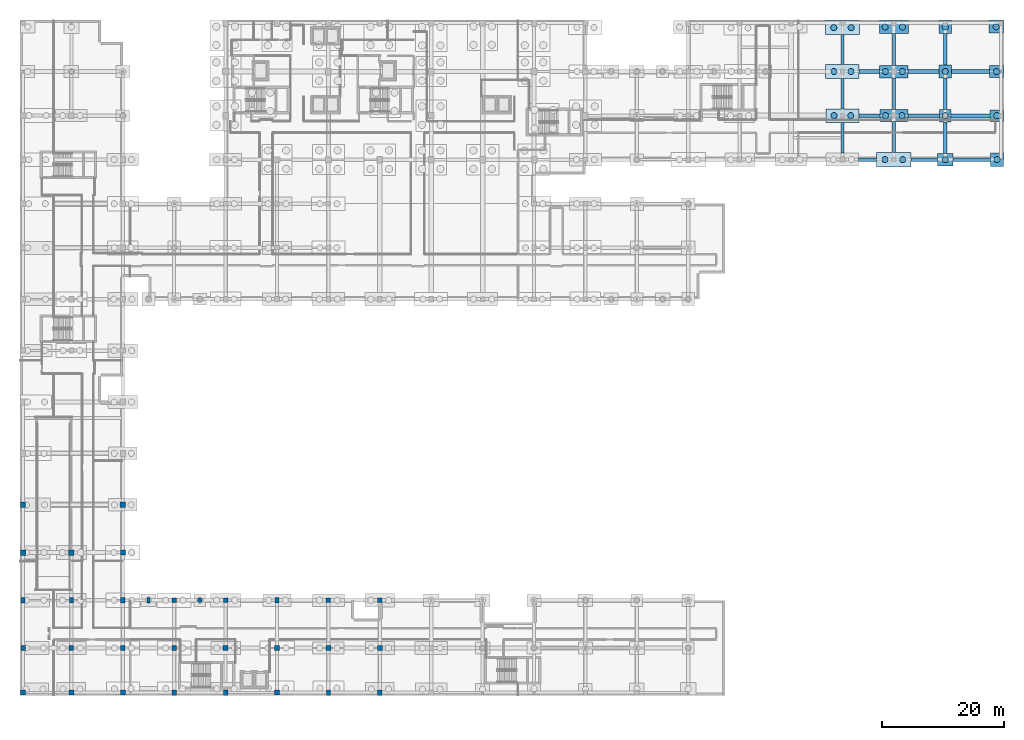
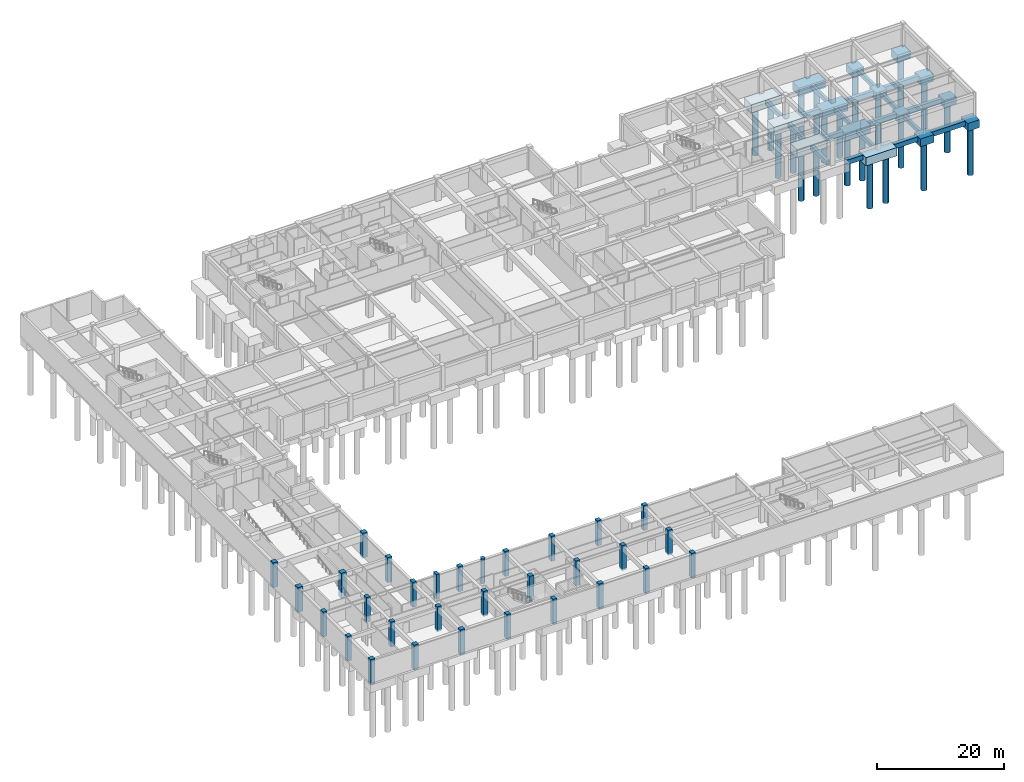
# One storey, part 8 of 42: 33 footings, 31 columns, 22 piles.
"""IFC4 building model written with IfcOpenShell, lengths in metres."""

from ifc_helpers import new_model, si_unit, direction, frame, origin, origin_2d, place, context, subcontext, project, spatial, rectangle, circle, extrude, material, material_profile, profile_set, type_object, element, save


model = new_model("IFC4")

# Units and contexts
model_context = context("Model", 3, precision=1e-05, world=origin(), true_north=direction((0.0, 1.0)))
body_context = subcontext(model_context, "Body", "Model", "MODEL_VIEW")
ifc_project = project(units=[si_unit("LENGTHUNIT", "METRE"), si_unit("AREAUNIT", "SQUARE_METRE"), si_unit("VOLUMEUNIT", "CUBIC_METRE"), si_unit("PLANEANGLEUNIT", "RADIAN"), si_unit("MASSUNIT", "GRAM", prefix="KILO")], contexts=[model_context])

# Site, building, storey
site_placement = place(None, origin())
site = spatial("IfcSite", under=ifc_project, at=site_placement, CompositionType="ELEMENT")
building_placement = place(site_placement, origin())
building = spatial("IfcBuilding", under=site, at=building_placement, Name="Quendrovan Civic Courthouse", CompositionType="ELEMENT")
storey_placement = place(building_placement, frame((0.0, 0.0, -4.5)))
storey = spatial("IfcBuildingStorey", under=building, at=storey_placement, Name="B1", CompositionType="ELEMENT", Elevation=-4.5)

# Footings
ifc_material_1 = material(Name="Concrete C35/45", Category="concrete")
footing_type_1 = type_object("IfcFootingType", Name="FTG-PC1-190x202x140", PredefinedType="PILE_CAP", material=ifc_material_1)
footing_1_placement = place(storey_placement, frame((151.199951171875, 94.800048828125, -1.699951171875), z_axis=(0.0, 0.0, 1.0), x_axis=(1.0, 0.0, 0.0)))
element("IfcFooting", 1, at=footing_1_placement, inside=storey, type_object=footing_type_1, Name="Pile Cap PC1-01 at 19-N", PredefinedType="PILE_CAP", context=body_context, shape_type="SweptSolid", body=[
    extrude(rectangle(XDim=1.89990234375, YDim=2.02001953125, at=origin_2d()), origin(), (0.0, 0.0, 1.0), 1.39990234375),
])
footing_type_2 = type_object("IfcFootingType", Name="FTG-PC1-198x208x143", PredefinedType="PILE_CAP", material=ifc_material_1)
footing_2_placement = place(storey_placement, frame((151.199951171875, 102.0, -1.72998046875), z_axis=(0.0, 0.0, 1.0), x_axis=(1.0, 0.0, 0.0)))
element("IfcFooting", 2, at=footing_2_placement, inside=storey, type_object=footing_type_2, Name="Pile Cap PC1-02 at 19-P", PredefinedType="PILE_CAP", context=body_context, shape_type="SweptSolid", body=[
    extrude(rectangle(XDim=1.97998046875, YDim=2.080078125, at=origin_2d()), origin(), (0.0, 0.0, 1.0), 1.429931640625),
])
footing_type_3 = type_object("IfcFootingType", Name="FTG-PC1-206x214x146", PredefinedType="PILE_CAP", material=ifc_material_1)
footing_3_placement = place(storey_placement, frame((151.199951171875, 109.25, -1.760009765625), z_axis=(0.0, 0.0, 1.0), x_axis=(1.0, 0.0, 0.0)))
element("IfcFooting", 3, at=footing_3_placement, inside=storey, type_object=footing_type_3, Name="Pile Cap PC1-03 at 19-Q", PredefinedType="PILE_CAP", context=body_context, shape_type="SweptSolid", body=[
    extrude(rectangle(XDim=2.06005859375, YDim=2.139892578125, at=origin_2d()), origin(), (0.0, 0.0, 1.0), 1.4599609375),
])
footing_type_4 = type_object("IfcFootingType", Name="FTG-PC1-214x220x149", PredefinedType="PILE_CAP", material=ifc_material_1)
footing_4_placement = place(storey_placement, frame((159.64990234375, 87.60009765625, -1.7900390625), z_axis=(0.0, 0.0, 1.0), x_axis=(1.0, 0.0, 0.0)))
element("IfcFooting", 4, at=footing_4_placement, inside=storey, type_object=footing_type_4, Name="Pile Cap PC1-04 at 20-M", PredefinedType="PILE_CAP", context=body_context, shape_type="SweptSolid", body=[
    extrude(rectangle(XDim=2.139892578125, YDim=2.199951171875, at=origin_2d()), origin(), (0.0, 0.0, 1.0), 1.489990234375),
])
footing_type_5 = type_object("IfcFootingType", Name="FTG-PC1-222x190x140", PredefinedType="PILE_CAP", material=ifc_material_1)
footing_5_placement = place(storey_placement, frame((159.610107421875, 94.800048828125, -1.699951171875), z_axis=(0.0, 0.0, 1.0), x_axis=(1.0, 0.0, 0.0)))
element("IfcFooting", 5, at=footing_5_placement, inside=storey, type_object=footing_type_5, Name="Pile Cap PC1-05 at 20-N", PredefinedType="PILE_CAP", context=body_context, shape_type="SweptSolid", body=[
    extrude(rectangle(XDim=2.219970703125, YDim=1.89990234375, at=origin_2d()), origin(), (0.0, 0.0, 1.0), 1.39990234375),
])
footing_type_6 = type_object("IfcFootingType", Name="FTG-PC1-229x196x143", PredefinedType="PILE_CAP", material=ifc_material_1)
footing_6_placement = place(storey_placement, frame((159.570068359375, 102.0, -1.72998046875), z_axis=(0.0, 0.0, 1.0), x_axis=(1.0, 0.0, 0.0)))
element("IfcFooting", 6, at=footing_6_placement, inside=storey, type_object=footing_type_6, Name="Pile Cap PC1-06 at 20-P", PredefinedType="PILE_CAP", context=body_context, shape_type="SweptSolid", body=[
    extrude(rectangle(XDim=2.300048828125, YDim=1.9599609375, at=origin_2d()), origin(), (0.0, 0.0, 1.0), 1.429931640625),
])
footing_type_7 = type_object("IfcFootingType", Name="FTG-PC1-238x202x146", PredefinedType="PILE_CAP", material=ifc_material_1)
footing_7_placement = place(storey_placement, frame((159.530029296875, 109.31005859375, -1.760009765625), z_axis=(0.0, 0.0, 1.0), x_axis=(1.0, 0.0, 0.0)))
element("IfcFooting", 7, at=footing_7_placement, inside=storey, type_object=footing_type_7, Name="Pile Cap PC1-07 at 20-Q", PredefinedType="PILE_CAP", context=body_context, shape_type="SweptSolid", body=[
    extrude(rectangle(XDim=2.3798828125, YDim=2.02001953125, at=origin_2d()), origin(), (0.0, 0.0, 1.0), 1.4599609375),
])
footing_type_8 = type_object("IfcFootingType", Name="FTG-PC1-246x208x149", PredefinedType="PILE_CAP", material=ifc_material_1)
footing_8_placement = place(storey_placement, frame((151.199951171875, 87.60009765625, -1.7900390625), z_axis=(0.0, 0.0, 1.0), x_axis=(1.0, 0.0, 0.0)))
element("IfcFooting", 8, at=footing_8_placement, inside=storey, type_object=footing_type_8, Name="Pile Cap PC1-08 at 19-M", PredefinedType="PILE_CAP", context=body_context, shape_type="SweptSolid", body=[
    extrude(rectangle(XDim=2.4599609375, YDim=2.080078125, at=origin_2d()), origin(), (0.0, 0.0, 1.0), 1.489990234375),
])
footing_type_9 = type_object("IfcFootingType", Name="FTG-PC2-459x200x155", PredefinedType="PILE_CAP", material=ifc_material_1)
footing_9_placement = place(storey_placement, frame((142.800048828125, 94.800048828125, -1.85009765625), z_axis=(0.0, 0.0, 1.0), x_axis=(1.0, 0.0, 0.0)))
element("IfcFooting", 9, at=footing_9_placement, inside=storey, type_object=footing_type_9, Name="Pile Cap PC2-01 at 18-N", PredefinedType="PILE_CAP", context=body_context, shape_type="SweptSolid", body=[
    extrude(rectangle(XDim=4.60009765625, YDim=2.0, at=origin_2d()), origin(), (0.0, 0.0, 1.0), 1.550048828125),
])
footing_type_10 = type_object("IfcFootingType", Name="FTG-PC2-468x206x157", PredefinedType="PILE_CAP", material=ifc_material_1)
footing_10_placement = place(storey_placement, frame((142.800048828125, 102.0, -1.8701171875), z_axis=(0.0, 0.0, 1.0), x_axis=(1.0, 0.0, 0.0)))
element("IfcFooting", 10, at=footing_10_placement, inside=storey, type_object=footing_type_10, Name="Pile Cap PC2-02 at 18-P", PredefinedType="PILE_CAP", context=body_context, shape_type="SweptSolid", body=[
    extrude(rectangle(XDim=4.679931640625, YDim=2.06005859375, at=origin_2d()), origin(), (0.0, 0.0, 1.0), 1.570068359375),
])
footing_type_11 = type_object("IfcFootingType", Name="FTG-PC2-476x212x159", PredefinedType="PILE_CAP", material=ifc_material_1)
footing_11_placement = place(storey_placement, frame((142.800048828125, 109.260009765625, -1.89013671875), z_axis=(0.0, 0.0, 1.0), x_axis=(1.0, 0.0, 0.0)))
element("IfcFooting", 11, at=footing_11_placement, inside=storey, type_object=footing_type_11, Name="Pile Cap PC2-03 at 18-Q", PredefinedType="PILE_CAP", context=body_context, shape_type="SweptSolid", body=[
    extrude(rectangle(XDim=4.760009765625, YDim=2.1201171875, at=origin_2d()), origin(), (0.0, 0.0, 1.0), 1.590087890625),
])
footing_type_12 = type_object("IfcFootingType", Name="FTG-PC2-540x218x155", PredefinedType="PILE_CAP", material=ifc_material_1)
footing_12_placement = place(storey_placement, frame((134.39990234375, 94.800048828125, -1.85009765625), z_axis=(0.0, 0.0, 1.0), x_axis=(1.0, 0.0, 0.0)))
element("IfcFooting", 12, at=footing_12_placement, inside=storey, type_object=footing_type_12, Name="Pile Cap PC2-11 at 17-N", PredefinedType="PILE_CAP", context=body_context, shape_type="SweptSolid", body=[
    extrude(rectangle(XDim=5.39990234375, YDim=2.179931640625, at=origin_2d()), origin(), (0.0, 0.0, 1.0), 1.550048828125),
])
footing_type_13 = type_object("IfcFootingType", Name="FTG-PC2-548x224x157", PredefinedType="PILE_CAP", material=ifc_material_1)
footing_13_placement = place(storey_placement, frame((134.39990234375, 102.0, -1.8701171875), z_axis=(0.0, 0.0, 1.0), x_axis=(1.0, 0.0, 0.0)))
element("IfcFooting", 13, at=footing_13_placement, inside=storey, type_object=footing_type_13, Name="Pile Cap PC2-12 at 17-P", PredefinedType="PILE_CAP", context=body_context, shape_type="SweptSolid", body=[
    extrude(rectangle(XDim=5.47998046875, YDim=2.239990234375, at=origin_2d()), origin(), (0.0, 0.0, 1.0), 1.570068359375),
])
footing_type_14 = type_object("IfcFootingType", Name="FTG-PC2-556x229x159", PredefinedType="PILE_CAP", material=ifc_material_1)
footing_14_placement = place(storey_placement, frame((134.39990234375, 109.169921875, -1.89013671875), z_axis=(0.0, 0.0, 1.0), x_axis=(1.0, 0.0, 0.0)))
element("IfcFooting", 14, at=footing_14_placement, inside=storey, type_object=footing_type_14, Name="Pile Cap PC2-13 at 17-Q", PredefinedType="PILE_CAP", context=body_context, shape_type="SweptSolid", body=[
    extrude(rectangle(XDim=5.56005859375, YDim=2.300048828125, at=origin_2d()), origin(), (0.0, 0.0, 1.0), 1.590087890625),
])
footing_type_15 = type_object("IfcFootingType", Name="FTG-PC2-564x236x161", PredefinedType="PILE_CAP", material=ifc_material_1)
footing_15_placement = place(storey_placement, frame((142.800048828125, 87.60009765625, -1.91015625), z_axis=(0.0, 0.0, 1.0), x_axis=(1.0, 0.0, 0.0)))
element("IfcFooting", 15, at=footing_15_placement, inside=storey, type_object=footing_type_15, Name="Pile Cap PC2-14 at 18-M", PredefinedType="PILE_CAP", context=body_context, shape_type="SweptSolid", body=[
    extrude(rectangle(XDim=5.639892578125, YDim=2.360107421875, at=origin_2d()), origin(), (0.0, 0.0, 1.0), 1.610107421875),
])
footing_type_16 = type_object("IfcFootingType", Name="FTG-TBX-3000", PredefinedType="FOOTING_BEAM", material=ifc_material_1)
footing_16_placement = place(storey_placement, frame((138.52001953125, 87.60009765625, -1.199951171875), z_axis=(0.0, 0.0, 1.0), x_axis=(1.0, 0.0, 0.0)))
element("IfcFooting", 16, at=footing_16_placement, inside=storey, type_object=footing_type_16, Name="Seismic Tie Beam TB-X-071", PredefinedType="FOOTING_BEAM", context=body_context, shape_type="SweptSolid", body=[
    extrude(rectangle(XDim=2.919921875, YDim=0.60009765625, at=origin_2d()), origin(), (0.0, 0.0, 1.0), 0.89990234375),
])
footing_type_17 = type_object("IfcFootingType", Name="FTG-TBX-3400", PredefinedType="FOOTING_BEAM", material=ifc_material_1)
footing_17_placement = place(storey_placement, frame((138.800048828125, 94.800048828125, -1.199951171875), z_axis=(0.0, 0.0, 1.0), x_axis=(1.0, 0.0, 0.0)))
element("IfcFooting", 17, at=footing_17_placement, inside=storey, type_object=footing_type_17, Name="Seismic Tie Beam TB-X-078", PredefinedType="FOOTING_BEAM", context=body_context, shape_type="SweptSolid", body=[
    extrude(rectangle(XDim=3.39990234375, YDim=0.60009765625, at=origin_2d()), origin(), (0.0, 0.0, 1.0), 0.89990234375),
])
footing_18_placement = place(storey_placement, frame((138.800048828125, 102.0, -1.199951171875), z_axis=(0.0, 0.0, 1.0), x_axis=(1.0, 0.0, 0.0)))
element("IfcFooting", 18, at=footing_18_placement, inside=storey, type_object=footing_type_17, Name="Seismic Tie Beam TB-X-087", PredefinedType="FOOTING_BEAM", context=body_context, shape_type="SweptSolid", body=[
    extrude(rectangle(XDim=3.320068359375, YDim=0.60009765625, at=origin_2d()), origin(), (0.0, 0.0, 1.0), 0.89990234375),
])
footing_type_18 = type_object("IfcFootingType", Name="FTG-TBX-4400", PredefinedType="FOOTING_BEAM", material=ifc_material_1)
footing_19_placement = place(storey_placement, frame((147.794921875, 87.60009765625, -1.199951171875), z_axis=(0.0, 0.0, 1.0), x_axis=(1.0, 0.0, 0.0)))
element("IfcFooting", 19, at=footing_19_placement, inside=storey, type_object=footing_type_18, Name="Seismic Tie Beam TB-X-072", PredefinedType="FOOTING_BEAM", context=body_context, shape_type="SweptSolid", body=[
    extrude(rectangle(XDim=4.35009765625, YDim=0.60009765625, at=origin_2d()), origin(), (0.0, 0.0, 1.0), 0.89990234375),
])
footing_type_19 = type_object("IfcFootingType", Name="FTG-TBX-5000", PredefinedType="FOOTING_BEAM", material=ifc_material_1)
footing_20_placement = place(storey_placement, frame((147.675048828125, 102.0, -1.199951171875), z_axis=(0.0, 0.0, 1.0), x_axis=(1.0, 0.0, 0.0)))
element("IfcFooting", 20, at=footing_20_placement, inside=storey, type_object=footing_type_19, Name="Seismic Tie Beam TB-X-088", PredefinedType="FOOTING_BEAM", context=body_context, shape_type="SweptSolid", body=[
    extrude(rectangle(XDim=5.070068359375, YDim=0.60009765625, at=origin_2d()), origin(), (0.0, 0.0, 1.0), 0.89990234375),
])
footing_type_20 = type_object("IfcFootingType", Name="FTG-TBX-5200", PredefinedType="FOOTING_BEAM", material=ifc_material_1)
footing_21_placement = place(storey_placement, frame((147.675048828125, 94.800048828125, -1.199951171875), z_axis=(0.0, 0.0, 1.0), x_axis=(1.0, 0.0, 0.0)))
element("IfcFooting", 21, at=footing_21_placement, inside=storey, type_object=footing_type_20, Name="Seismic Tie Beam TB-X-079", PredefinedType="FOOTING_BEAM", context=body_context, shape_type="SweptSolid", body=[
    extrude(rectangle(XDim=5.14990234375, YDim=0.60009765625, at=origin_2d()), origin(), (0.0, 0.0, 1.0), 0.89990234375),
])
footing_type_21 = type_object("IfcFootingType", Name="FTG-TBX-6200", PredefinedType="FOOTING_BEAM", material=ifc_material_1)
footing_22_placement = place(storey_placement, frame((155.5048828125, 87.60009765625, -1.199951171875), z_axis=(0.0, 0.0, 1.0), x_axis=(1.0, 0.0, 0.0)))
element("IfcFooting", 22, at=footing_22_placement, inside=storey, type_object=footing_type_21, Name="Seismic Tie Beam TB-X-073", PredefinedType="FOOTING_BEAM", context=body_context, shape_type="SweptSolid", body=[
    extrude(rectangle(XDim=6.14990234375, YDim=0.60009765625, at=origin_2d()), origin(), (0.0, 0.0, 1.0), 0.89990234375),
])
footing_23_placement = place(storey_placement, frame((155.304931640625, 102.0, -1.199951171875), z_axis=(0.0, 0.0, 1.0), x_axis=(1.0, 0.0, 0.0)))
element("IfcFooting", 23, at=footing_23_placement, inside=storey, type_object=footing_type_21, Name="Seismic Tie Beam TB-X-089", PredefinedType="FOOTING_BEAM", context=body_context, shape_type="SweptSolid", body=[
    extrude(rectangle(XDim=6.22998046875, YDim=0.60009765625, at=origin_2d()), origin(), (0.0, 0.0, 1.0), 0.89990234375),
])
footing_type_22 = type_object("IfcFootingType", Name="FTG-TBX-6400", PredefinedType="FOOTING_BEAM", material=ifc_material_1)
footing_24_placement = place(storey_placement, frame((155.324951171875, 94.800048828125, -1.199951171875), z_axis=(0.0, 0.0, 1.0), x_axis=(1.0, 0.0, 0.0)))
element("IfcFooting", 24, at=footing_24_placement, inside=storey, type_object=footing_type_22, Name="Seismic Tie Beam TB-X-080", PredefinedType="FOOTING_BEAM", context=body_context, shape_type="SweptSolid", body=[
    extrude(rectangle(XDim=6.35009765625, YDim=0.60009765625, at=origin_2d()), origin(), (0.0, 0.0, 1.0), 0.89990234375),
])
footing_type_23 = type_object("IfcFootingType", Name="FTG-TBY-4800", PredefinedType="FOOTING_BEAM", material=ifc_material_1)
footing_25_placement = place(storey_placement, frame((134.39990234375, 105.570068359375, -1.10009765625), z_axis=(0.0, 0.0, 1.0), x_axis=(1.0, 0.0, 0.0)))
element("IfcFooting", 25, at=footing_25_placement, inside=storey, type_object=footing_type_23, Name="Seismic Tie Beam TB-Y-169", PredefinedType="FOOTING_BEAM", context=body_context, shape_type="SweptSolid", body=[
    extrude(rectangle(XDim=0.5, YDim=4.89990234375, at=origin_2d()), origin(), (0.0, 0.0, 1.0), 0.800048828125),
])
footing_type_24 = type_object("IfcFootingType", Name="FTG-TBY-5000", PredefinedType="FOOTING_BEAM", material=ifc_material_1)
footing_26_placement = place(storey_placement, frame((134.39990234375, 91.18505859375, -1.10009765625), z_axis=(0.0, 0.0, 1.0), x_axis=(1.0, 0.0, 0.0)))
element("IfcFooting", 26, at=footing_26_placement, inside=storey, type_object=footing_type_24, Name="Seismic Tie Beam TB-Y-167", PredefinedType="FOOTING_BEAM", context=body_context, shape_type="SweptSolid", body=[
    extrude(rectangle(XDim=0.5, YDim=5.050048828125, at=origin_2d()), origin(), (0.0, 0.0, 1.0), 0.800048828125),
])
footing_27_placement = place(storey_placement, frame((134.39990234375, 98.385009765625, -1.10009765625), z_axis=(0.0, 0.0, 1.0), x_axis=(1.0, 0.0, 0.0)))
element("IfcFooting", 27, at=footing_27_placement, inside=storey, type_object=footing_type_24, Name="Seismic Tie Beam TB-Y-168", PredefinedType="FOOTING_BEAM", context=body_context, shape_type="SweptSolid", body=[
    extrude(rectangle(XDim=0.5, YDim=4.989990234375, at=origin_2d()), origin(), (0.0, 0.0, 1.0), 0.800048828125),
])
footing_28_placement = place(storey_placement, frame((142.800048828125, 91.2900390625, -1.10009765625), z_axis=(0.0, 0.0, 1.0), x_axis=(1.0, 0.0, 0.0)))
element("IfcFooting", 28, at=footing_28_placement, inside=storey, type_object=footing_type_24, Name="Seismic Tie Beam TB-Y-170", PredefinedType="FOOTING_BEAM", context=body_context, shape_type="SweptSolid", body=[
    extrude(rectangle(XDim=0.5, YDim=5.02001953125, at=origin_2d()), origin(), (0.0, 0.0, 1.0), 0.800048828125),
])
footing_type_25 = type_object("IfcFootingType", Name="FTG-TBY-5200", PredefinedType="FOOTING_BEAM", material=ifc_material_1)
for number, where, z_axis, x_axis, name in (
    (29, (142.800048828125, 98.385009765625, -1.10009765625), (0.0, 0.0, 1.0), (1.0, 0.0, 0.0), "Seismic Tie Beam TB-Y-171"),
    (30, (142.800048828125, 105.614990234375, -1.10009765625), (0.0, 0.0, 1.0), (1.0, 0.0, 0.0), "Seismic Tie Beam TB-Y-172"),
):
    element("IfcFooting", number, at=place(storey_placement, frame(where, z_axis=z_axis, x_axis=x_axis)), inside=storey, type_object=footing_type_25, Name=name, PredefinedType="FOOTING_BEAM", context=body_context, shape_type="SweptSolid", body=[
        extrude(rectangle(XDim=0.5, YDim=5.169921875, at=origin_2d()), origin(), (0.0, 0.0, 1.0), 0.800048828125),
    ])
for number, where, z_axis, x_axis, name in (
    (31, (151.199951171875, 91.215087890625, -1.10009765625), (0.0, 0.0, 1.0), (1.0, 0.0, 0.0), "Seismic Tie Beam TB-Y-173"),
    (32, (151.199951171875, 98.385009765625, -1.10009765625), (0.0, 0.0, 1.0), (1.0, 0.0, 0.0), "Seismic Tie Beam TB-Y-174"),
):
    element("IfcFooting", number, at=place(storey_placement, frame(where, z_axis=z_axis, x_axis=x_axis)), inside=storey, type_object=footing_type_25, Name=name, PredefinedType="FOOTING_BEAM", context=body_context, shape_type="SweptSolid", body=[
        extrude(rectangle(XDim=0.5, YDim=5.14990234375, at=origin_2d()), origin(), (0.0, 0.0, 1.0), 0.800048828125),
    ])
footing_29_placement = place(storey_placement, frame((151.199951171875, 105.610107421875, -1.10009765625), z_axis=(0.0, 0.0, 1.0), x_axis=(1.0, 0.0, 0.0)))
element("IfcFooting", 33, at=footing_29_placement, inside=storey, type_object=footing_type_25, Name="Seismic Tie Beam TB-Y-175", PredefinedType="FOOTING_BEAM", context=body_context, shape_type="SweptSolid", body=[
    extrude(rectangle(XDim=0.5, YDim=5.139892578125, at=origin_2d()), origin(), (0.0, 0.0, 1.0), 0.800048828125),
])

# Piles
ifc_material_profile_1 = material_profile(ifc_material_1, circle(Radius=0.5, at=origin_2d()), Name="PILE-D1000")
ifc_profile_set_1 = profile_set([ifc_material_profile_1], Name="Concrete C35/45")
pile_type = type_object("IfcPileType", Name="PILE-B1000", PredefinedType="BORED", material=ifc_profile_set_1)
for number, where, z_axis, x_axis, name in (
    (34, (133.0400390625, 94.800048828125, -1.75), (0.0, 0.0, -1.0), (1.0, 0.0, 0.0), "Bored Pile PILE-17-N-1"),
    (35, (135.760009765625, 94.800048828125, -1.75), (0.0, 0.0, -1.0), (1.0, 0.0, 0.0), "Bored Pile PILE-17-N-2"),
):
    element("IfcPile", number, at=place(storey_placement, frame(where, z_axis=z_axis, x_axis=x_axis)), inside=storey, type_object=pile_type, Name=name, PredefinedType="BORED", context=body_context, shape_type="SweptSolid", body=[
        extrude(circle(Radius=0.5, at=origin_2d()), origin(), (0.0, 0.0, 1.0), 9.25),
    ])
for number, where, z_axis, x_axis, name in (
    (36, (133.010009765625, 102.0, -1.77001953125), (0.0, 0.0, -1.0), (1.0, 0.0, 0.0), "Bored Pile PILE-17-P-1"),
    (37, (135.7900390625, 102.0, -1.77001953125), (0.0, 0.0, -1.0), (1.0, 0.0, 0.0), "Bored Pile PILE-17-P-2"),
):
    element("IfcPile", number, at=place(storey_placement, frame(where, z_axis=z_axis, x_axis=x_axis)), inside=storey, type_object=pile_type, Name=name, PredefinedType="BORED", context=body_context, shape_type="SweptSolid", body=[
        extrude(circle(Radius=0.5, at=origin_2d()), origin(), (0.0, 0.0, 1.0), 9.22998046875),
    ])
for number, where, z_axis, x_axis, name in (
    (38, (132.97998046875, 109.169921875, -1.7900390625), (0.0, 0.0, -1.0), (1.0, 0.0, 0.0), "Bored Pile PILE-17-Q-1"),
    (39, (135.820068359375, 109.169921875, -1.7900390625), (0.0, 0.0, -1.0), (1.0, 0.0, 0.0), "Bored Pile PILE-17-Q-2"),
):
    element("IfcPile", number, at=place(storey_placement, frame(where, z_axis=z_axis, x_axis=x_axis)), inside=storey, type_object=pile_type, Name=name, PredefinedType="BORED", context=body_context, shape_type="SweptSolid", body=[
        extrude(circle(Radius=0.5, at=origin_2d()), origin(), (0.0, 0.0, 1.0), 9.2099609375),
    ])
for number, where, z_axis, x_axis, name in (
    (40, (141.35009765625, 87.60009765625, -1.81005859375), (0.0, 0.0, -1.0), (1.0, 0.0, 0.0), "Bored Pile PILE-18-M-1"),
    (41, (144.25, 87.60009765625, -1.81005859375), (0.0, 0.0, -1.0), (1.0, 0.0, 0.0), "Bored Pile PILE-18-M-2"),
):
    element("IfcPile", number, at=place(storey_placement, frame(where, z_axis=z_axis, x_axis=x_axis)), inside=storey, type_object=pile_type, Name=name, PredefinedType="BORED", context=body_context, shape_type="SweptSolid", body=[
        extrude(circle(Radius=0.5, at=origin_2d()), origin(), (0.0, 0.0, 1.0), 9.18994140625),
    ])
for number, where, z_axis, x_axis, name in (
    (42, (141.43994140625, 94.800048828125, -1.75), (0.0, 0.0, -1.0), (1.0, 0.0, 0.0), "Bored Pile PILE-18-N-1"),
    (43, (144.159912109375, 94.800048828125, -1.75), (0.0, 0.0, -1.0), (1.0, 0.0, 0.0), "Bored Pile PILE-18-N-2"),
):
    element("IfcPile", number, at=place(storey_placement, frame(where, z_axis=z_axis, x_axis=x_axis)), inside=storey, type_object=pile_type, Name=name, PredefinedType="BORED", context=body_context, shape_type="SweptSolid", body=[
        extrude(circle(Radius=0.5, at=origin_2d()), origin(), (0.0, 0.0, 1.0), 9.25),
    ])
for number, where, z_axis, x_axis, name in (
    (44, (141.409912109375, 102.0, -1.77001953125), (0.0, 0.0, -1.0), (1.0, 0.0, 0.0), "Bored Pile PILE-18-P-1"),
    (45, (144.18994140625, 102.0, -1.77001953125), (0.0, 0.0, -1.0), (1.0, 0.0, 0.0), "Bored Pile PILE-18-P-2"),
):
    element("IfcPile", number, at=place(storey_placement, frame(where, z_axis=z_axis, x_axis=x_axis)), inside=storey, type_object=pile_type, Name=name, PredefinedType="BORED", context=body_context, shape_type="SweptSolid", body=[
        extrude(circle(Radius=0.5, at=origin_2d()), origin(), (0.0, 0.0, 1.0), 9.22998046875),
    ])
for number, where, z_axis, x_axis, name in (
    (46, (141.3798828125, 109.260009765625, -1.7900390625), (0.0, 0.0, -1.0), (1.0, 0.0, 0.0), "Bored Pile PILE-18-Q-1"),
    (47, (144.219970703125, 109.260009765625, -1.7900390625), (0.0, 0.0, -1.0), (1.0, 0.0, 0.0), "Bored Pile PILE-18-Q-2"),
):
    element("IfcPile", number, at=place(storey_placement, frame(where, z_axis=z_axis, x_axis=x_axis)), inside=storey, type_object=pile_type, Name=name, PredefinedType="BORED", context=body_context, shape_type="SweptSolid", body=[
        extrude(circle(Radius=0.5, at=origin_2d()), origin(), (0.0, 0.0, 1.0), 9.2099609375),
    ])
pile_1_placement = place(storey_placement, frame((151.199951171875, 87.60009765625, -1.68994140625), z_axis=(0.0, 0.0, -1.0), x_axis=(1.0, 0.0, 0.0)))
element("IfcPile", 48, at=pile_1_placement, inside=storey, type_object=pile_type, Name="Bored Pile PILE-19-M-1", PredefinedType="BORED", context=body_context, shape_type="SweptSolid", body=[
    extrude(circle(Radius=0.5, at=origin_2d()), origin(), (0.0, 0.0, 1.0), 9.31005859375),
])
pile_2_placement = place(storey_placement, frame((151.199951171875, 94.800048828125, -1.60009765625), z_axis=(0.0, 0.0, -1.0), x_axis=(1.0, 0.0, 0.0)))
element("IfcPile", 49, at=pile_2_placement, inside=storey, type_object=pile_type, Name="Bored Pile PILE-19-N-1", PredefinedType="BORED", context=body_context, shape_type="SweptSolid", body=[
    extrude(circle(Radius=0.5, at=origin_2d()), origin(), (0.0, 0.0, 1.0), 9.39990234375),
])
pile_3_placement = place(storey_placement, frame((151.199951171875, 102.0, -1.6298828125), z_axis=(0.0, 0.0, -1.0), x_axis=(1.0, 0.0, 0.0)))
element("IfcPile", 50, at=pile_3_placement, inside=storey, type_object=pile_type, Name="Bored Pile PILE-19-P-1", PredefinedType="BORED", context=body_context, shape_type="SweptSolid", body=[
    extrude(circle(Radius=0.5, at=origin_2d()), origin(), (0.0, 0.0, 1.0), 9.3701171875),
])
pile_4_placement = place(storey_placement, frame((151.199951171875, 109.25, -1.659912109375), z_axis=(0.0, 0.0, -1.0), x_axis=(1.0, 0.0, 0.0)))
element("IfcPile", 51, at=pile_4_placement, inside=storey, type_object=pile_type, Name="Bored Pile PILE-19-Q-1", PredefinedType="BORED", context=body_context, shape_type="SweptSolid", body=[
    extrude(circle(Radius=0.5, at=origin_2d()), origin(), (0.0, 0.0, 1.0), 9.340087890625),
])
pile_5_placement = place(storey_placement, frame((159.64990234375, 87.60009765625, -1.68994140625), z_axis=(0.0, 0.0, -1.0), x_axis=(1.0, 0.0, 0.0)))
element("IfcPile", 52, at=pile_5_placement, inside=storey, type_object=pile_type, Name="Bored Pile PILE-20-M-1", PredefinedType="BORED", context=body_context, shape_type="SweptSolid", body=[
    extrude(circle(Radius=0.5, at=origin_2d()), origin(), (0.0, 0.0, 1.0), 9.31005859375),
])
pile_6_placement = place(storey_placement, frame((159.610107421875, 94.800048828125, -1.60009765625), z_axis=(0.0, 0.0, -1.0), x_axis=(1.0, 0.0, 0.0)))
element("IfcPile", 53, at=pile_6_placement, inside=storey, type_object=pile_type, Name="Bored Pile PILE-20-N-1", PredefinedType="BORED", context=body_context, shape_type="SweptSolid", body=[
    extrude(circle(Radius=0.5, at=origin_2d()), origin(), (0.0, 0.0, 1.0), 9.39990234375),
])
pile_7_placement = place(storey_placement, frame((159.570068359375, 102.0, -1.6298828125), z_axis=(0.0, 0.0, -1.0), x_axis=(1.0, 0.0, 0.0)))
element("IfcPile", 54, at=pile_7_placement, inside=storey, type_object=pile_type, Name="Bored Pile PILE-20-P-1", PredefinedType="BORED", context=body_context, shape_type="SweptSolid", body=[
    extrude(circle(Radius=0.5, at=origin_2d()), origin(), (0.0, 0.0, 1.0), 9.3701171875),
])
pile_8_placement = place(storey_placement, frame((159.530029296875, 109.31005859375, -1.659912109375), z_axis=(0.0, 0.0, -1.0), x_axis=(1.0, 0.0, 0.0)))
element("IfcPile", 55, at=pile_8_placement, inside=storey, type_object=pile_type, Name="Bored Pile PILE-20-Q-1", PredefinedType="BORED", context=body_context, shape_type="SweptSolid", body=[
    extrude(circle(Radius=0.5, at=origin_2d()), origin(), (0.0, 0.0, 1.0), 9.340087890625),
])

# Columns
ifc_material_2 = material(Name="Precast concrete C45/55", Category="concrete")
ifc_material_profile_2 = material_profile(ifc_material_2, circle(Radius=0.375, at=origin_2d()), Name="RC-ARCADE-D750")
ifc_profile_set_2 = profile_set([ifc_material_profile_2], Name="Precast concrete C45/55")
column_type_1 = type_object("IfcColumnType", Name="COL-ARC750", PredefinedType="PILASTER", material=ifc_profile_set_2)
column_1_placement = place(storey_placement, frame((29.39990234375, 15.60009765625, -0.300048828125), z_axis=(0.0, 0.0, 1.0), x_axis=(1.0, 0.0, 0.0)))
element("IfcColumn", 56, at=column_1_placement, inside=storey, type_object=column_type_1, Name="B1 Column PIL-C6", PredefinedType="PILASTER", context=body_context, shape_type="SweptSolid", body=[
    extrude(circle(Radius=0.375, at=origin_2d()), origin(), (0.0, 0.0, 1.0), 4.800048828125),
])
ifc_material_3 = material(Name="Concrete C45/55", Category="concrete")
ifc_material_profile_3 = material_profile(ifc_material_3, rectangle(XDim=0.550048828125, YDim=0.949951171875, at=origin_2d()), Name="RC-PIER-550x950")
ifc_profile_set_3 = profile_set([ifc_material_profile_3], Name="Concrete C45/55")
column_type_2 = type_object("IfcColumnType", Name="COL-PIER950", PredefinedType="PILASTER", material=ifc_profile_set_3)
column_2_placement = place(storey_placement, frame((21.0, 15.60009765625, -0.300048828125), z_axis=(0.0, 0.0, 1.0), x_axis=(1.0, 0.0, 0.0)))
element("IfcColumn", 57, at=column_2_placement, inside=storey, type_object=column_type_2, Name="B1 Column PIL-C5", PredefinedType="PILASTER", context=body_context, shape_type="SweptSolid", body=[
    extrude(rectangle(XDim=0.550048828125, YDim=0.949951171875, at=origin_2d()), origin(), (0.0, 0.0, 1.0), 4.800048828125),
])
ifc_material_4 = material(Name="Concrete C40/50", Category="concrete")
ifc_material_profile_4 = material_profile(ifc_material_4, rectangle(XDim=0.699951171875, YDim=0.85009765625, at=origin_2d()), Name="RC-COL-700x850")
ifc_profile_set_4 = profile_set([ifc_material_profile_4], Name="Concrete C40/50")
column_type_3 = type_object("IfcColumnType", Name="COL-RC-700x850", PredefinedType="COLUMN", material=ifc_profile_set_4)
for number, where, z_axis, x_axis, name in (
    (58, (0.5, 15.60009765625, -0.300048828125), (0.0, 0.0, 1.0), (1.0, 0.0, 0.0), "B1 Column 1-C"),
    (59, (8.39990234375, 15.60009765625, -0.300048828125), (0.0, 0.0, 1.0), (1.0, 0.0, 0.0), "B1 Column 2-C"),
    (60, (16.800048828125, 15.60009765625, -0.300048828125), (0.0, 0.0, 1.0), (1.0, 0.0, 0.0), "B1 Column 3-C"),
    (61, (25.199951171875, 0.5, -0.300048828125), (0.0, 0.0, 1.0), (1.0, 0.0, 0.0), "B1 Column 4-A"),
    (62, (33.60009765625, 0.5, -0.300048828125), (0.0, 0.0, 1.0), (1.0, 0.0, 0.0), "B1 Column 5-A"),
    (63, (42.0, 15.60009765625, -0.300048828125), (0.0, 0.0, 1.0), (1.0, 0.0, 0.0), "B1 Column 6-C"),
    (64, (50.39990234375, 0.5, -0.300048828125), (0.0, 0.0, 1.0), (1.0, 0.0, 0.0), "B1 Column 7-A"),
    (65, (58.800048828125, 0.5, -0.300048828125), (0.0, 0.0, 1.0), (1.0, 0.0, 0.0), "B1 Column 8-A"),
):
    element("IfcColumn", number, at=place(storey_placement, frame(where, z_axis=z_axis, x_axis=x_axis)), inside=storey, type_object=column_type_3, Name=name, PredefinedType="COLUMN", context=body_context, shape_type="SweptSolid", body=[
        extrude(rectangle(XDim=0.699951171875, YDim=0.85009765625, at=origin_2d()), origin(), (0.0, 0.0, 1.0), 4.800048828125),
    ])
ifc_material_profile_5 = material_profile(ifc_material_3, rectangle(XDim=0.75, YDim=0.75, at=origin_2d()), Name="RC-COL-750x750")
ifc_profile_set_5 = profile_set([ifc_material_profile_5], Name="Concrete C45/55")
column_type_4 = type_object("IfcColumnType", Name="COL-RC750", PredefinedType="COLUMN", material=ifc_profile_set_5)
for number, where, z_axis, x_axis, name in (
    (66, (0.5, 7.800048828125, -0.300048828125), (0.0, 0.0, 1.0), (1.0, 0.0, 0.0), "B1 Column 1-B"),
    (67, (8.39990234375, 7.800048828125, -0.300048828125), (0.0, 0.0, 1.0), (1.0, 0.0, 0.0), "B1 Column 2-B"),
    (68, (16.800048828125, 7.800048828125, -0.300048828125), (0.0, 0.0, 1.0), (1.0, 0.0, 0.0), "B1 Column 3-B"),
    (69, (25.199951171875, 15.60009765625, -0.300048828125), (0.0, 0.0, 1.0), (1.0, 0.0, 0.0), "B1 Column 4-C"),
    (70, (33.60009765625, 15.60009765625, -0.300048828125), (0.0, 0.0, 1.0), (1.0, 0.0, 0.0), "B1 Column 5-C"),
    (71, (42.0, 7.800048828125, -0.300048828125), (0.0, 0.0, 1.0), (1.0, 0.0, 0.0), "B1 Column 6-B"),
    (72, (50.39990234375, 15.60009765625, -0.300048828125), (0.0, 0.0, 1.0), (1.0, 0.0, 0.0), "B1 Column 7-C"),
    (73, (58.800048828125, 15.60009765625, -0.300048828125), (0.0, 0.0, 1.0), (1.0, 0.0, 0.0), "B1 Column 8-C"),
):
    element("IfcColumn", number, at=place(storey_placement, frame(where, z_axis=z_axis, x_axis=x_axis)), inside=storey, type_object=column_type_4, Name=name, PredefinedType="COLUMN", context=body_context, shape_type="SweptSolid", body=[
        extrude(rectangle(XDim=0.75, YDim=0.75, at=origin_2d()), origin(), (0.0, 0.0, 1.0), 4.800048828125),
    ])
ifc_material_profile_6 = material_profile(ifc_material_3, rectangle(XDim=0.800048828125, YDim=0.800048828125, at=origin_2d()), Name="RC-COL-800x800")
ifc_profile_set_6 = profile_set([ifc_material_profile_6], Name="Concrete C45/55")
column_type_5 = type_object("IfcColumnType", Name="COL-RC800", PredefinedType="COLUMN", material=ifc_profile_set_6)
for number, where, z_axis, x_axis, name in (
    (74, (0.5, 0.5, -0.300048828125), (0.0, 0.0, 1.0), (1.0, 0.0, 0.0), "B1 Column 1-A"),
    (75, (8.39990234375, 0.5, -0.300048828125), (0.0, 0.0, 1.0), (1.0, 0.0, 0.0), "B1 Column 2-A"),
    (76, (16.800048828125, 0.5, -0.300048828125), (0.0, 0.0, 1.0), (1.0, 0.0, 0.0), "B1 Column 3-A"),
    (77, (16.800048828125, 23.39990234375, -0.300048828125), (0.0, 0.0, 1.0), (1.0, 0.0, 0.0), "B1 Column 3-D"),
    (78, (25.199951171875, 7.800048828125, -0.300048828125), (0.0, 0.0, 1.0), (1.0, 0.0, 0.0), "B1 Column 4-B"),
    (79, (33.60009765625, 7.800048828125, -0.300048828125), (0.0, 0.0, 1.0), (1.0, 0.0, 0.0), "B1 Column 5-B"),
    (80, (42.0, 0.5, -0.300048828125), (0.0, 0.0, 1.0), (1.0, 0.0, 0.0), "B1 Column 6-A"),
    (81, (50.39990234375, 7.800048828125, -0.300048828125), (0.0, 0.0, 1.0), (1.0, 0.0, 0.0), "B1 Column 7-B"),
    (82, (58.800048828125, 7.800048828125, -0.300048828125), (0.0, 0.0, 1.0), (1.0, 0.0, 0.0), "B1 Column 8-B"),
):
    element("IfcColumn", number, at=place(storey_placement, frame(where, z_axis=z_axis, x_axis=x_axis)), inside=storey, type_object=column_type_5, Name=name, PredefinedType="COLUMN", context=body_context, shape_type="SweptSolid", body=[
        extrude(rectangle(XDim=0.800048828125, YDim=0.800048828125, at=origin_2d()), origin(), (0.0, 0.0, 1.0), 4.800048828125),
    ])
ifc_material_profile_7 = material_profile(ifc_material_3, rectangle(XDim=0.85009765625, YDim=0.85009765625, at=origin_2d()), Name="RC-COL-850x850")
ifc_profile_set_7 = profile_set([ifc_material_profile_7], Name="Concrete C45/55")
column_type_6 = type_object("IfcColumnType", Name="COL-RC850", PredefinedType="COLUMN", material=ifc_profile_set_7)
for number, where, z_axis, x_axis, name in (
    (83, (0.5, 31.199951171875, -0.300048828125), (0.0, 0.0, 1.0), (1.0, 0.0, 0.0), "B1 Column 1-E"),
    (84, (16.800048828125, 31.199951171875, -0.300048828125), (0.0, 0.0, 1.0), (1.0, 0.0, 0.0), "B1 Column 3-E"),
):
    element("IfcColumn", number, at=place(storey_placement, frame(where, z_axis=z_axis, x_axis=x_axis)), inside=storey, type_object=column_type_6, Name=name, PredefinedType="COLUMN", context=body_context, shape_type="SweptSolid", body=[
        extrude(rectangle(XDim=0.85009765625, YDim=0.85009765625, at=origin_2d()), origin(), (0.0, 0.0, 1.0), 4.800048828125),
    ])
ifc_material_profile_8 = material_profile(ifc_material_3, rectangle(XDim=0.89990234375, YDim=0.89990234375, at=origin_2d()), Name="RC-COL-900x900")
ifc_profile_set_8 = profile_set([ifc_material_profile_8], Name="Concrete C45/55")
column_type_7 = type_object("IfcColumnType", Name="COL-RC900", PredefinedType="COLUMN", material=ifc_profile_set_8)
for number, where, z_axis, x_axis, name in (
    (85, (0.5, 23.39990234375, -0.300048828125), (0.0, 0.0, 1.0), (1.0, 0.0, 0.0), "B1 Column 1-D"),
    (86, (8.39990234375, 23.39990234375, -0.300048828125), (0.0, 0.0, 1.0), (1.0, 0.0, 0.0), "B1 Column 2-D"),
):
    element("IfcColumn", number, at=place(storey_placement, frame(where, z_axis=z_axis, x_axis=x_axis)), inside=storey, type_object=column_type_7, Name=name, PredefinedType="COLUMN", context=body_context, shape_type="SweptSolid", body=[
        extrude(rectangle(XDim=0.89990234375, YDim=0.89990234375, at=origin_2d()), origin(), (0.0, 0.0, 1.0), 4.800048828125),
    ])

save(model, "model.ifc")
